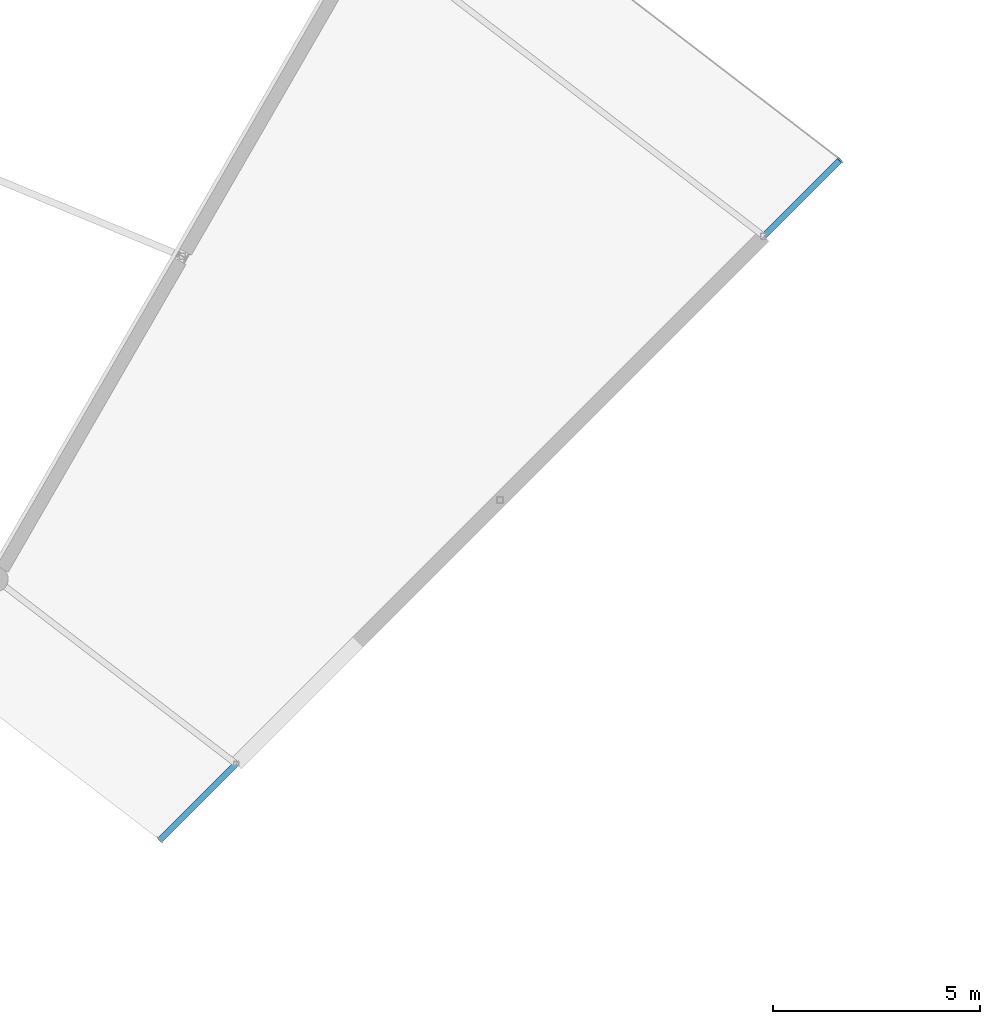
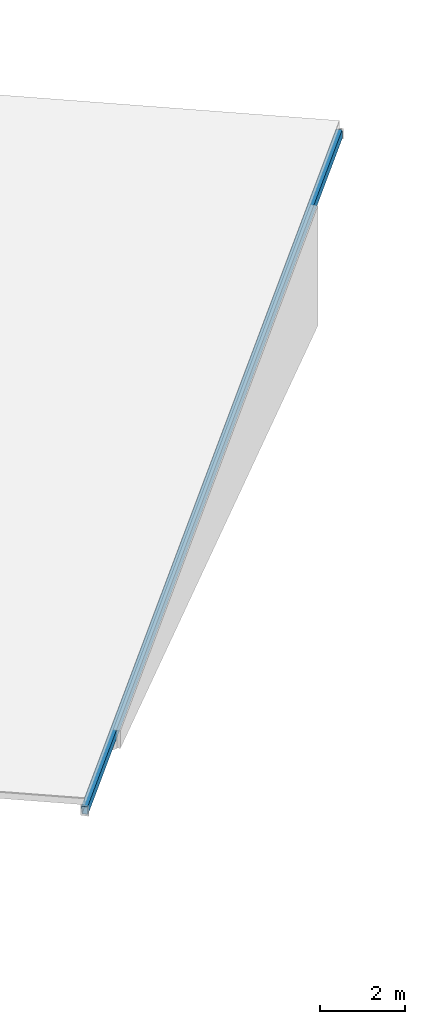
# One storey, part 62 of 93: 1 member.
"""IFC4 building model written with IfcOpenShell, lengths in metres."""

from ifc_helpers import new_model, si_unit, direction, frame, origin, origin_2d, place, context, subcontext, project, spatial, hollow_rectangle, extrude, material, material_profile, profile_set, type_object, element, save


model = new_model("IFC4")

# Units and contexts
model_context = context("Model", 3, precision=1e-05, world=origin(), true_north=direction((0.0, 1.0)))
body_context = subcontext(model_context, "Body", "Model", "MODEL_VIEW")
ifc_project = project(units=[si_unit("LENGTHUNIT", "METRE"), si_unit("AREAUNIT", "SQUARE_METRE"), si_unit("VOLUMEUNIT", "CUBIC_METRE"), si_unit("PLANEANGLEUNIT", "RADIAN"), si_unit("MASSUNIT", "GRAM", prefix="KILO")], contexts=[model_context])

# Site, building, storey
site_placement = place(None, origin())
site = spatial("IfcSite", under=ifc_project, at=site_placement, CompositionType="ELEMENT")
building_placement = place(site_placement, origin())
building = spatial("IfcBuilding", under=site, at=building_placement, Name="Vondelvale Polytechnic", CompositionType="ELEMENT")
storey_placement = place(building_placement, frame((0.0, 0.0, 18.0)))
storey = spatial("IfcBuildingStorey", under=building, at=storey_placement, Name="L04", CompositionType="ELEMENT", Elevation=18.0)

# Member
ifc_material = material(Name="Steel C350L0 (fy = 350 MPa)", Category="steel")
ifc_material_profile = material_profile(ifc_material, hollow_rectangle(XDim=0.14990234375, YDim=0.25, WallThickness=0.006103515625, at=origin_2d()), Name="250x150x6.0RHS")
ifc_profile_set = profile_set([ifc_material_profile], Name="Steel C350L0 (fy = 350 MPa)")
member_type = type_object("IfcMemberType", Name="RAFTER RHS250", PredefinedType="RAFTER", material=ifc_profile_set)
member_placement = place(storey_placement, frame((136.365478515625, 106.365478515625, 3.765625), z_axis=(-0.697809376678, -0.697809376678, -0.161629662008), x_axis=(0.707106781187, -0.707106781187, 0.0)))
element("IfcMember", 1, at=member_placement, inside=storey, type_object=member_type, Name="Ring inward-sloping rafter 03", PredefinedType="RAFTER", context=body_context, shape_type="SweptSolid", body=[
    extrude(hollow_rectangle(XDim=0.14990234375, YDim=0.25, WallThickness=0.006103515625, at=origin_2d()), origin(), (0.0, 0.0, 1.0), 23.50927734375),
])

save(model, "model.ifc")
